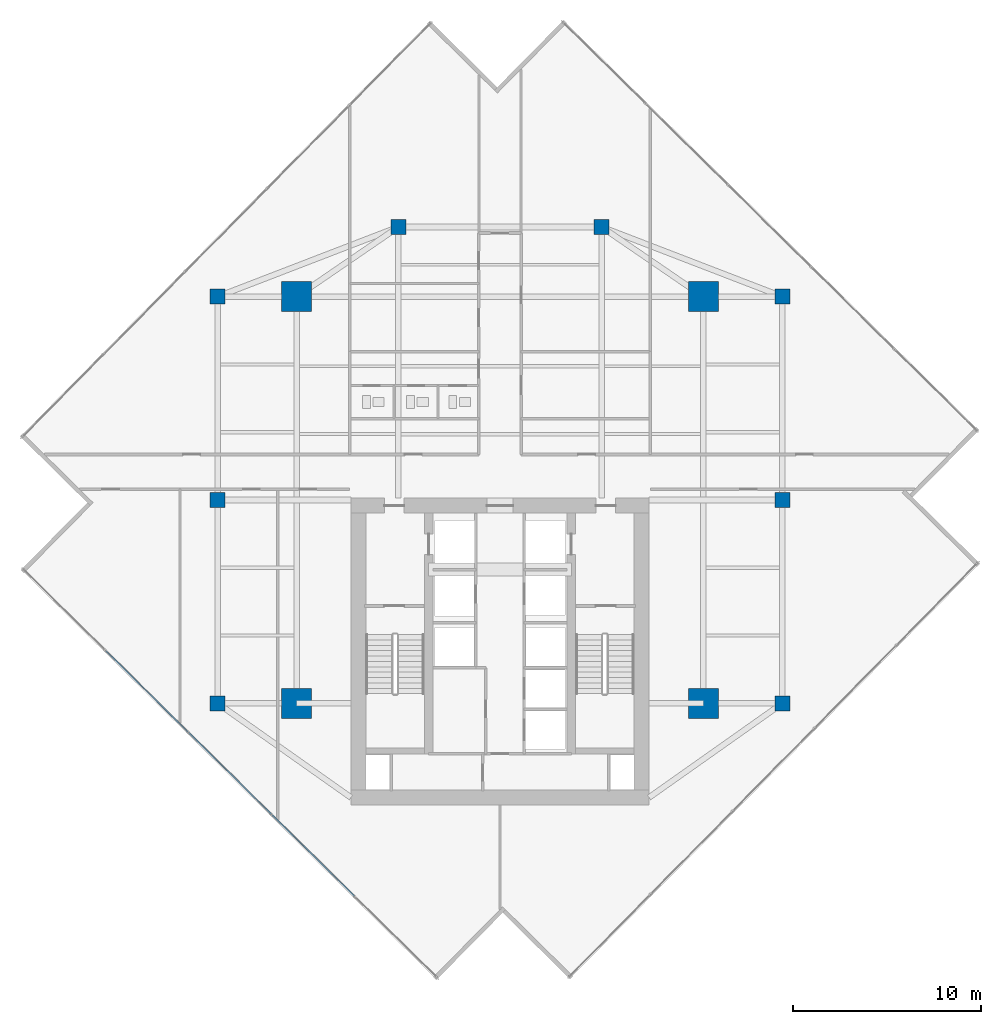
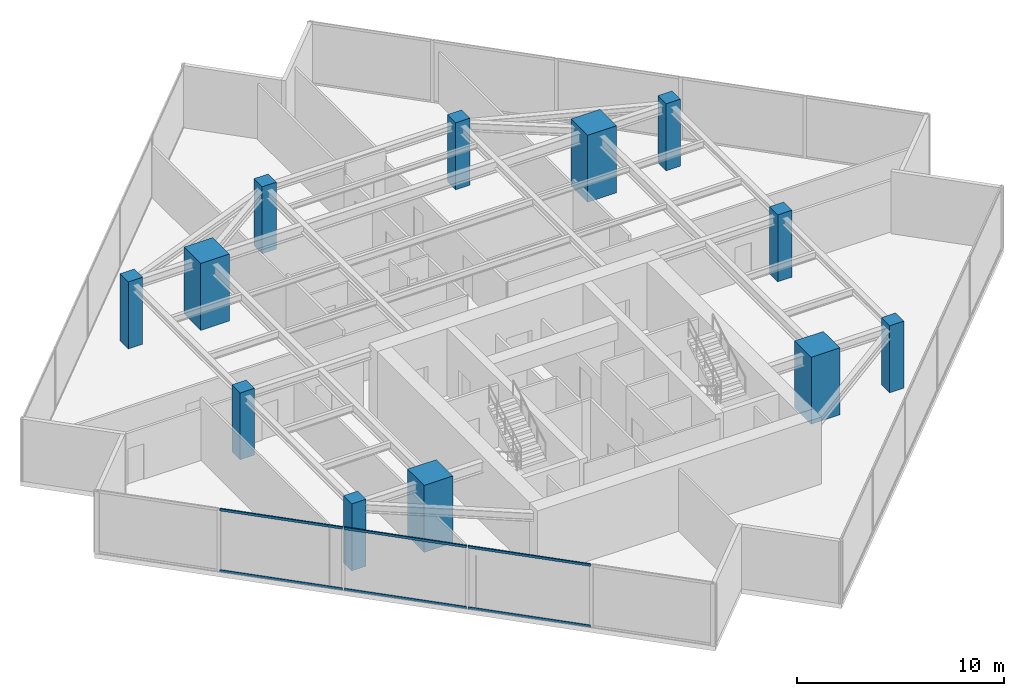
# One storey, part 1 of 24: 12 columns, 6 members, 1 element without a shape of its own.
"""IFC4 building model written with IfcOpenShell, lengths in metres."""

from ifc_helpers import new_model, si_unit, direction, frame, origin, origin_2d, place, context, subcontext, project, spatial, rectangle, hollow_rectangle, extrude, source, transform, mapped, material, material_profile, profile_set, type_object, type_shapes, element, aggregate, save


model = new_model("IFC4")

# Units and contexts
model_context = context("Model", 3, precision=1e-05, world=origin(), true_north=direction((0.0, 1.0)))
body_context = subcontext(model_context, "Body", "Model", "MODEL_VIEW")
ifc_project = project(units=[si_unit("LENGTHUNIT", "METRE"), si_unit("AREAUNIT", "SQUARE_METRE"), si_unit("VOLUMEUNIT", "CUBIC_METRE"), si_unit("PLANEANGLEUNIT", "RADIAN"), si_unit("MASSUNIT", "GRAM", prefix="KILO")], contexts=[model_context])

# Site, building, storey
site_placement = place(None, origin())
site = spatial("IfcSite", under=ifc_project, at=site_placement, CompositionType="ELEMENT")
building_placement = place(site_placement, origin())
building = spatial("IfcBuilding", under=site, at=building_placement, Name="Krantzveldt Concourse Tower", CompositionType="ELEMENT")
storey_placement = place(building_placement, frame((0.0, 0.0, 231.0)))
storey = spatial("IfcBuildingStorey", under=building, at=storey_placement, Name="L56", CompositionType="ELEMENT", Elevation=231.0)

# Columns
ifc_material_1 = material(Name="Concrete C50/60", Category="concrete")
ifc_material_profile_1 = material_profile(ifc_material_1, rectangle(XDim=1.60009765625, YDim=1.60009765625, at=origin_2d()), Name="Concrete C50/60", Category="concrete")
ifc_profile_set_1 = profile_set([ifc_material_profile_1], Name="Concrete C50/60 - RC 1600x1600")
column_type_1 = type_object("IfcColumnType", Name="COL-MC-1600", PredefinedType="USERDEFINED", material=ifc_profile_set_1)
shared_shape_1 = source(origin(), body_context, "Body", "SweptSolid", [
    extrude(rectangle(XDim=1.60009765625, YDim=1.60009765625, at=origin_2d()), origin(), (0.0, 0.0, 1.0), 3.949951171875),
])
type_shapes(column_type_1, [shared_shape_1])
for number, where, z_axis, x_axis, name in (
    (1, (25.199951171875, 15.89990234375, 0.0), (0.0, 0.0, 1.0), (1.0, 0.0, 0.0), "MC-SW-L56"),
    (2, (46.800048828125, 15.89990234375, 0.0), (0.0, 0.0, 1.0), (1.0, 0.0, 0.0), "MC-SE-L56"),
    (3, (46.800048828125, 37.5, 0.0), (0.0, 0.0, 1.0), (1.0, 0.0, 0.0), "MC-NE-L56"),
    (4, (25.199951171875, 37.5, 0.0), (0.0, 0.0, 1.0), (1.0, 0.0, 0.0), "MC-NW-L56"),
):
    element("IfcColumn", number, at=place(storey_placement, frame(where, z_axis=z_axis, x_axis=x_axis)), inside=storey, type_object=column_type_1, Name=name, ObjectType="MEGA COLUMN", PredefinedType="USERDEFINED", context=body_context, shape_type="MappedRepresentation", body=[
        mapped(shared_shape_1, transform((0.0, 0.0, 0.0), x_axis=(1.0, 0.0, 0.0), y_axis=(0.0, 1.0, 0.0), z_axis=(0.0, 0.0, 1.0), scale=1.0)),
    ])
ifc_material_profile_2 = material_profile(ifc_material_1, rectangle(XDim=0.800048828125, YDim=0.800048828125, at=origin_2d()), Name="Concrete C50/60", Category="concrete")
ifc_profile_set_2 = profile_set([ifc_material_profile_2], Name="Concrete C50/60 - RC 800x800")
column_type_2 = type_object("IfcColumnType", Name="COL-C-Z4", PredefinedType="COLUMN", material=ifc_profile_set_2)
shared_shape_2 = source(origin(), body_context, "Body", "SweptSolid", [
    extrude(rectangle(XDim=0.800048828125, YDim=0.800048828125, at=origin_2d()), origin(), (0.0, 0.0, 1.0), 3.949951171875),
])
type_shapes(column_type_2, [shared_shape_2])
for number, where, z_axis, x_axis, name in (
    (5, (21.0, 15.89990234375, 0.0), (0.0, 0.0, 1.0), (1.0, 0.0, 0.0), "PC-R01-L56"),
    (6, (21.0, 26.699951171875, 0.0), (0.0, 0.0, 1.0), (1.0, 0.0, 0.0), "PC-R02-L56"),
    (7, (21.0, 37.5, 0.0), (0.0, 0.0, 1.0), (1.0, 0.0, 0.0), "PC-R03-L56"),
    (8, (30.60009765625, 41.199951171875, 0.0), (0.0, 0.0, 1.0), (1.0, 0.0, 0.0), "PC-R04-L56"),
    (9, (41.39990234375, 41.199951171875, 0.0), (0.0, 0.0, 1.0), (1.0, 0.0, 0.0), "PC-R05-L56"),
    (10, (51.0, 37.5, 0.0), (0.0, 0.0, 1.0), (1.0, 0.0, 0.0), "PC-R06-L56"),
    (11, (51.0, 26.699951171875, 0.0), (0.0, 0.0, 1.0), (1.0, 0.0, 0.0), "PC-R07-L56"),
    (12, (51.0, 15.89990234375, 0.0), (0.0, 0.0, 1.0), (1.0, 0.0, 0.0), "PC-R08-L56"),
):
    element("IfcColumn", number, at=place(storey_placement, frame(where, z_axis=z_axis, x_axis=x_axis)), inside=storey, type_object=column_type_2, Name=name, PredefinedType="COLUMN", context=body_context, shape_type="MappedRepresentation", body=[
        mapped(shared_shape_2, transform((0.0, 0.0, 0.0), x_axis=(1.0, 0.0, 0.0), y_axis=(0.0, 1.0, 0.0), z_axis=(0.0, 0.0, 1.0), scale=1.0)),
    ])

# Curtain wall, members
ifc_material_2 = material(Name="Anodised aluminium 6063-T6", Category="aluminium")
curtain_wall_type = type_object("IfcCurtainWallType", Name="CW3", PredefinedType="USERDEFINED", material=ifc_material_2)
curtain_wall_placement = place(storey_placement, origin())
curtain_wall = element("IfcCurtainWall", 13, at=curtain_wall_placement, inside=storey, type_object=curtain_wall_type, Name="CW-L56-F04", ObjectType="UNITISED CURTAIN WALL", PredefinedType="USERDEFINED")
ifc_material_profile_3 = material_profile(ifc_material_2, hollow_rectangle(XDim=0.070068359375, YDim=0.139892578125, WallThickness=0.0048828125, at=origin_2d()), Name="Anodised aluminium 6063-T6", Category="aluminium")
ifc_profile_set_3 = profile_set([ifc_material_profile_3], Name="Anodised aluminium 6063-T6 - ALU-TRAN 140x70x5")
member_type = type_object("IfcMemberType", Name="CW-TRN-150", PredefinedType="USERDEFINED", material=ifc_profile_set_3)
shared_shape_3 = source(origin(), body_context, "Body", "SweptSolid", [
    extrude(hollow_rectangle(XDim=0.070068359375, YDim=0.139892578125, WallThickness=0.0048828125, at=origin_2d()), origin(), (0.0, 0.0, 1.0), 6.130126953125),
])
member_1_placement = place(storey_placement, frame((19.481201171875, 14.326904296875, 0.034912109375), z_axis=(0.711731293564, -0.702451824513, 0.0), x_axis=(0.702451824513, 0.711731293564, 0.0)))
member_1 = element("IfcMember", 14, at=member_1_placement, type_object=member_type, Name="CW-Z34 transom 3.1", ObjectType="TRANSOM", PredefinedType="USERDEFINED", context=body_context, shape_type="MappedRepresentation", body=[
    mapped(shared_shape_3, transform((0.0, 0.0, 0.0), x_axis=(1.0, 0.0, 0.0), y_axis=(0.0, 1.0, 0.0), z_axis=(0.0, 0.0, 1.0), scale=1.0)),
])
member_2_placement = place(storey_placement, frame((19.481201171875, 14.326904296875, 3.635009765625), z_axis=(0.711731293564, -0.702451824513, 0.0), x_axis=(0.702451824513, 0.711731293564, 0.0)))
member_2 = element("IfcMember", 15, at=member_2_placement, type_object=member_type, Name="CW-Z34 transom 3.2", ObjectType="TRANSOM", PredefinedType="USERDEFINED", context=body_context, shape_type="MappedRepresentation", body=[
    mapped(shared_shape_3, transform((0.0, 0.0, 0.0), x_axis=(1.0, 0.0, 0.0), y_axis=(0.0, 1.0, 0.0), z_axis=(0.0, 0.0, 1.0), scale=1.0)),
])
shared_shape_4 = source(origin(), body_context, "Body", "SweptSolid", [
    extrude(hollow_rectangle(XDim=0.070068359375, YDim=0.139892578125, WallThickness=0.0048828125, at=origin_2d()), origin(), (0.0, 0.0, 1.0), 6.1298828125),
])
type_shapes(member_type, [shared_shape_3, shared_shape_4])
member_3_placement = place(storey_placement, frame((15.068603515625, 18.68212890625, 0.034912109375), z_axis=(0.71171164102, -0.702471736112, 0.0), x_axis=(0.702471736112, 0.71171164102, 0.0)))
member_3 = element("IfcMember", 16, at=member_3_placement, type_object=member_type, Name="CW-Z34 transom 2.1", ObjectType="TRANSOM", PredefinedType="USERDEFINED", context=body_context, shape_type="MappedRepresentation", body=[
    mapped(shared_shape_4, transform((0.0, 0.0, 0.0), x_axis=(1.0, 0.0, 0.0), y_axis=(0.0, 1.0, 0.0), z_axis=(0.0, 0.0, 1.0), scale=1.0)),
])
member_4_placement = place(storey_placement, frame((15.068603515625, 18.68212890625, 3.635009765625), z_axis=(0.71171164102, -0.702471736112, 0.0), x_axis=(0.702471736112, 0.71171164102, 0.0)))
member_4 = element("IfcMember", 17, at=member_4_placement, type_object=member_type, Name="CW-Z34 transom 2.2", ObjectType="TRANSOM", PredefinedType="USERDEFINED", context=body_context, shape_type="MappedRepresentation", body=[
    mapped(shared_shape_4, transform((0.0, 0.0, 0.0), x_axis=(1.0, 0.0, 0.0), y_axis=(0.0, 1.0, 0.0), z_axis=(0.0, 0.0, 1.0), scale=1.0)),
])
member_5_placement = place(storey_placement, frame((23.89404296875, 9.9716796875, 0.034912109375), z_axis=(0.71171164102, -0.702471736112, 0.0), x_axis=(0.702471736112, 0.71171164102, 0.0)))
member_5 = element("IfcMember", 18, at=member_5_placement, type_object=member_type, Name="CW-Z34 transom 4.1", ObjectType="TRANSOM", PredefinedType="USERDEFINED", context=body_context, shape_type="MappedRepresentation", body=[
    mapped(shared_shape_4, transform((0.0, 0.0, 0.0), x_axis=(1.0, 0.0, 0.0), y_axis=(0.0, 1.0, 0.0), z_axis=(0.0, 0.0, 1.0), scale=1.0)),
])
member_6_placement = place(storey_placement, frame((23.89404296875, 9.9716796875, 3.635009765625), z_axis=(0.71171164102, -0.702471736112, 0.0), x_axis=(0.702471736112, 0.71171164102, 0.0)))
member_6 = element("IfcMember", 19, at=member_6_placement, type_object=member_type, Name="CW-Z34 transom 4.2", ObjectType="TRANSOM", PredefinedType="USERDEFINED", context=body_context, shape_type="MappedRepresentation", body=[
    mapped(shared_shape_4, transform((0.0, 0.0, 0.0), x_axis=(1.0, 0.0, 0.0), y_axis=(0.0, 1.0, 0.0), z_axis=(0.0, 0.0, 1.0), scale=1.0)),
])
aggregate(curtain_wall, [member_3, member_4, member_1, member_2, member_5, member_6])

save(model, "model.ifc")
